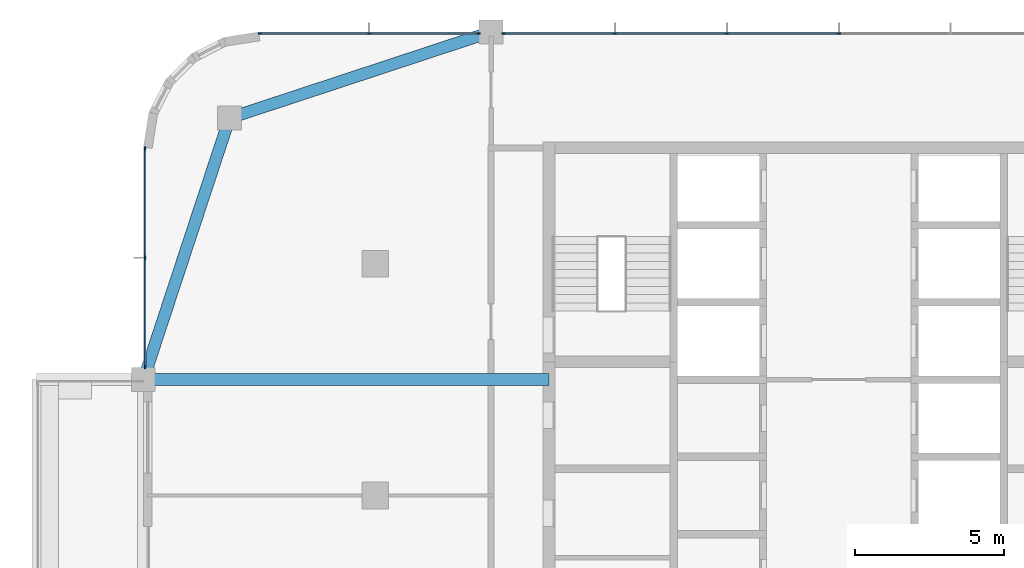
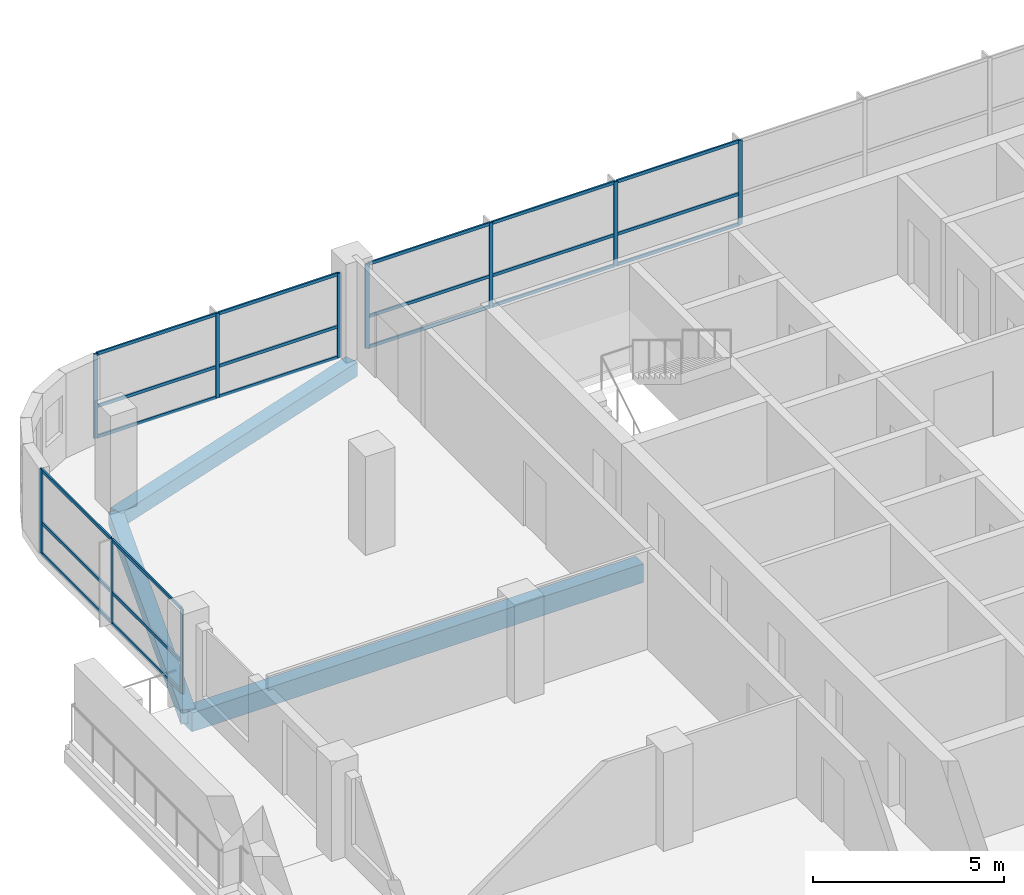
# One storey, part 7 of 22: 31 members, 3 beams, 3 elements without a shape of their own.
"""IFC4 building model written with IfcOpenShell, lengths in metres."""

from ifc_helpers import new_model, si_unit, direction, frame, origin, origin_2d, place, context, subcontext, project, spatial, rectangle, extrude, material, material_profile, profile_set, type_object, element, aggregate, save


model = new_model("IFC4")

# Units and contexts
model_context = context("Model", 3, precision=1e-05, world=origin(), true_north=direction((0.0, 1.0)))
body_context = subcontext(model_context, "Body", "Model", "MODEL_VIEW")
ifc_project = project(units=[si_unit("LENGTHUNIT", "METRE"), si_unit("AREAUNIT", "SQUARE_METRE"), si_unit("VOLUMEUNIT", "CUBIC_METRE"), si_unit("PLANEANGLEUNIT", "RADIAN"), si_unit("MASSUNIT", "GRAM", prefix="KILO")], contexts=[model_context])

# Site, building, storey
site_placement = place(None, origin())
site = spatial("IfcSite", under=ifc_project, at=site_placement, CompositionType="ELEMENT")
building_placement = place(site_placement, origin())
building = spatial("IfcBuilding", under=site, at=building_placement, Name="Ludao Terraces", CompositionType="ELEMENT")
storey_placement = place(building_placement, frame((0.0, 0.0, 200.699951171875)))
storey = spatial("IfcBuildingStorey", under=building, at=storey_placement, Name="L54", CompositionType="ELEMENT", Elevation=200.699951171875)

# Curtain wall, members
ifc_material_1 = material(Name="Aluminium curtain wall with fritted glass", Category="aluminium")
curtain_wall_type = type_object("IfcCurtainWallType", Name="ENV CW3 community glazing", PredefinedType="NOTDEFINED", material=ifc_material_1)
curtain_wall_1_placement = place(storey_placement, origin())
curtain_wall_1 = element("IfcCurtainWall", 1, at=curtain_wall_1_placement, inside=storey, type_object=curtain_wall_type, Name="Community floor glazing L54 N1", PredefinedType="NOTDEFINED")
ifc_material_2 = material(Name="Aluminium 6063-T6", Category="aluminium")
ifc_material_profile_1 = material_profile(ifc_material_2, rectangle(XDim=0.050048828125, YDim=0.1201171875, at=origin_2d()), Name="50 X 120")
ifc_profile_set_1 = profile_set([ifc_material_profile_1], Name="Aluminium 6063-T6")
member_type_1 = type_object("IfcMemberType", Name="ENV CW3 mullion 50x120", PredefinedType="MULLION", material=ifc_profile_set_1)
member_1_placement = place(storey_placement, frame((65.52490234375, 88.340087890625, 0.0), z_axis=(0.0, 0.0, 1.0), x_axis=(0.0, 1.0, 0.0)))
member_1 = element("IfcMember", 2, at=member_1_placement, type_object=member_type_1, Name="CW3 mullion 1", PredefinedType="MULLION", context=body_context, shape_type="SweptSolid", body=[
    extrude(rectangle(XDim=0.050048828125, YDim=0.1201171875, at=origin_2d()), origin(), (0.0, 0.0, 1.0), 2.699951171875),
])
member_2_placement = place(storey_placement, frame((69.199951171875, 88.340087890625, 0.0), z_axis=(0.0, 0.0, 1.0), x_axis=(0.0, 1.0, 0.0)))
member_2 = element("IfcMember", 3, at=member_2_placement, type_object=member_type_1, Name="CW3 mullion 2", PredefinedType="MULLION", context=body_context, shape_type="SweptSolid", body=[
    extrude(rectangle(XDim=0.050048828125, YDim=0.1201171875, at=origin_2d()), origin(), (0.0, 0.0, 1.0), 2.699951171875),
])
member_3_placement = place(storey_placement, frame((72.875, 88.340087890625, 0.0), z_axis=(0.0, 0.0, 1.0), x_axis=(0.0, 1.0, 0.0)))
member_3 = element("IfcMember", 4, at=member_3_placement, type_object=member_type_1, Name="CW3 mullion 3", PredefinedType="MULLION", context=body_context, shape_type="SweptSolid", body=[
    extrude(rectangle(XDim=0.050048828125, YDim=0.1201171875, at=origin_2d()), origin(), (0.0, 0.0, 1.0), 2.699951171875),
])

curtain_wall_2_placement = place(storey_placement, origin())
curtain_wall_2 = element("IfcCurtainWall", 5, at=curtain_wall_2_placement, inside=storey, type_object=curtain_wall_type, Name="Community floor glazing L54 N2", PredefinedType="NOTDEFINED")
member_4_placement = place(storey_placement, frame((73.72509765625, 88.340087890625, 0.0), z_axis=(0.0, 0.0, 1.0), x_axis=(0.0, 1.0, 0.0)))
member_4 = element("IfcMember", 6, at=member_4_placement, type_object=member_type_1, Name="CW3 mullion 1", PredefinedType="MULLION", context=body_context, shape_type="SweptSolid", body=[
    extrude(rectangle(XDim=0.050048828125, YDim=0.1201171875, at=origin_2d()), origin(), (0.0, 0.0, 1.0), 2.699951171875),
])
member_5_placement = place(storey_placement, frame((77.466552734375, 88.340087890625, 0.0), z_axis=(0.0, 0.0, 1.0), x_axis=(0.0, 1.0, 0.0)))
member_5 = element("IfcMember", 7, at=member_5_placement, type_object=member_type_1, Name="CW3 mullion 2", PredefinedType="MULLION", context=body_context, shape_type="SweptSolid", body=[
    extrude(rectangle(XDim=0.050048828125, YDim=0.1201171875, at=origin_2d()), origin(), (0.0, 0.0, 1.0), 2.699951171875),
])
member_6_placement = place(storey_placement, frame((81.2333984375, 88.340087890625, 0.0), z_axis=(0.0, 0.0, 1.0), x_axis=(0.0, 1.0, 0.0)))
member_6 = element("IfcMember", 8, at=member_6_placement, type_object=member_type_1, Name="CW3 mullion 3", PredefinedType="MULLION", context=body_context, shape_type="SweptSolid", body=[
    extrude(rectangle(XDim=0.050048828125, YDim=0.1201171875, at=origin_2d()), origin(), (0.0, 0.0, 1.0), 2.699951171875),
])
member_7_placement = place(storey_placement, frame((85.0, 88.340087890625, 0.0), z_axis=(0.0, 0.0, 1.0), x_axis=(0.0, 1.0, 0.0)))
member_7 = element("IfcMember", 9, at=member_7_placement, type_object=member_type_1, Name="CW3 mullion 4", PredefinedType="MULLION", context=body_context, shape_type="SweptSolid", body=[
    extrude(rectangle(XDim=0.050048828125, YDim=0.1201171875, at=origin_2d()), origin(), (0.0, 0.0, 1.0), 2.699951171875),
])

curtain_wall_3_placement = place(storey_placement, origin())
curtain_wall_3 = element("IfcCurtainWall", 10, at=curtain_wall_3_placement, inside=storey, type_object=curtain_wall_type, Name="Community floor glazing L54 W5", PredefinedType="NOTDEFINED")
member_8_placement = place(storey_placement, frame((61.659912109375, 77.125, 0.0), z_axis=(0.0, 0.0, 1.0), x_axis=(-1.0, 0.0, 0.0)))
member_8 = element("IfcMember", 11, at=member_8_placement, type_object=member_type_1, Name="CW3 mullion 1", PredefinedType="MULLION", context=body_context, shape_type="SweptSolid", body=[
    extrude(rectangle(XDim=0.050048828125, YDim=0.1201171875, at=origin_2d()), origin(), (0.0, 0.0, 1.0), 2.699951171875),
])
member_9_placement = place(storey_placement, frame((61.659912109375, 80.800048828125, 0.0), z_axis=(0.0, 0.0, 1.0), x_axis=(-1.0, 0.0, 0.0)))
member_9 = element("IfcMember", 12, at=member_9_placement, type_object=member_type_1, Name="CW3 mullion 2", PredefinedType="MULLION", context=body_context, shape_type="SweptSolid", body=[
    extrude(rectangle(XDim=0.050048828125, YDim=0.1201171875, at=origin_2d()), origin(), (0.0, 0.0, 1.0), 2.699951171875),
])
member_10_placement = place(storey_placement, frame((61.659912109375, 84.47509765625, 0.0), z_axis=(0.0, 0.0, 1.0), x_axis=(-1.0, 0.0, 0.0)))
member_10 = element("IfcMember", 13, at=member_10_placement, type_object=member_type_1, Name="CW3 mullion 3", PredefinedType="MULLION", context=body_context, shape_type="SweptSolid", body=[
    extrude(rectangle(XDim=0.050048828125, YDim=0.1201171875, at=origin_2d()), origin(), (0.0, 0.0, 1.0), 2.699951171875),
])

# Member
ifc_material_profile_2 = material_profile(ifc_material_2, rectangle(XDim=0.050048828125, YDim=0.10009765625, at=origin_2d()), Name="50 X 100")
ifc_profile_set_2 = profile_set([ifc_material_profile_2], Name="Aluminium 6063-T6")
member_type_2 = type_object("IfcMemberType", Name="ENV CW3 transom 50x100", PredefinedType="USERDEFINED", material=ifc_profile_set_2)
member_11_placement = place(storey_placement, frame((65.550048828125, 88.340087890625, 0.025146484375), z_axis=(1.0, 0.0, 0.0), x_axis=(0.0, 1.0, 0.0)))
member_11 = element("IfcMember", 14, at=member_11_placement, type_object=member_type_2, Name="CW3 transom 1.1", ObjectType="TRANSOM", PredefinedType="USERDEFINED", context=body_context, shape_type="SweptSolid", body=[
    extrude(rectangle(XDim=0.050048828125, YDim=0.10009765625, at=origin_2d()), origin(), (0.0, 0.0, 1.0), 3.625),
])

member_12_placement = place(storey_placement, frame((65.550048828125, 88.340087890625, 1.0), z_axis=(1.0, 0.0, 0.0), x_axis=(0.0, 1.0, 0.0)))
member_12 = element("IfcMember", 15, at=member_12_placement, type_object=member_type_2, Name="CW3 transom 1.2", ObjectType="TRANSOM", PredefinedType="USERDEFINED", context=body_context, shape_type="SweptSolid", body=[
    extrude(rectangle(XDim=0.050048828125, YDim=0.10009765625, at=origin_2d()), origin(), (0.0, 0.0, 1.0), 3.625),
])

member_13_placement = place(storey_placement, frame((65.550048828125, 88.340087890625, 2.675048828125), z_axis=(1.0, 0.0, 0.0), x_axis=(0.0, 1.0, 0.0)))
member_13 = element("IfcMember", 16, at=member_13_placement, type_object=member_type_2, Name="CW3 transom 1.3", ObjectType="TRANSOM", PredefinedType="USERDEFINED", context=body_context, shape_type="SweptSolid", body=[
    extrude(rectangle(XDim=0.050048828125, YDim=0.10009765625, at=origin_2d()), origin(), (0.0, 0.0, 1.0), 3.625),
])

member_14_placement = place(storey_placement, frame((69.22509765625, 88.340087890625, 0.025146484375), z_axis=(1.0, 0.0, 0.0), x_axis=(0.0, 1.0, 0.0)))
member_14 = element("IfcMember", 17, at=member_14_placement, type_object=member_type_2, Name="CW3 transom 2.1", ObjectType="TRANSOM", PredefinedType="USERDEFINED", context=body_context, shape_type="SweptSolid", body=[
    extrude(rectangle(XDim=0.050048828125, YDim=0.10009765625, at=origin_2d()), origin(), (0.0, 0.0, 1.0), 3.625),
])

member_15_placement = place(storey_placement, frame((69.22509765625, 88.340087890625, 1.0), z_axis=(1.0, 0.0, 0.0), x_axis=(0.0, 1.0, 0.0)))
member_15 = element("IfcMember", 18, at=member_15_placement, type_object=member_type_2, Name="CW3 transom 2.2", ObjectType="TRANSOM", PredefinedType="USERDEFINED", context=body_context, shape_type="SweptSolid", body=[
    extrude(rectangle(XDim=0.050048828125, YDim=0.10009765625, at=origin_2d()), origin(), (0.0, 0.0, 1.0), 3.625),
])

member_16_placement = place(storey_placement, frame((69.22509765625, 88.340087890625, 2.675048828125), z_axis=(1.0, 0.0, 0.0), x_axis=(0.0, 1.0, 0.0)))
member_16 = element("IfcMember", 19, at=member_16_placement, type_object=member_type_2, Name="CW3 transom 2.3", ObjectType="TRANSOM", PredefinedType="USERDEFINED", context=body_context, shape_type="SweptSolid", body=[
    extrude(rectangle(XDim=0.050048828125, YDim=0.10009765625, at=origin_2d()), origin(), (0.0, 0.0, 1.0), 3.625),
])

aggregate(curtain_wall_1, [member_1, member_2, member_3, member_11, member_12, member_13, member_14, member_15, member_16])

member_17_placement = place(storey_placement, frame((73.75, 88.340087890625, 0.025146484375), z_axis=(1.0, 0.0, 0.0), x_axis=(0.0, 1.0, 0.0)))
member_17 = element("IfcMember", 20, at=member_17_placement, type_object=member_type_2, Name="CW3 transom 1.1", ObjectType="TRANSOM", PredefinedType="USERDEFINED", context=body_context, shape_type="SweptSolid", body=[
    extrude(rectangle(XDim=0.050048828125, YDim=0.10009765625, at=origin_2d()), origin(), (0.0, 0.0, 1.0), 3.691650390625),
])

member_18_placement = place(storey_placement, frame((73.75, 88.340087890625, 1.0), z_axis=(1.0, 0.0, 0.0), x_axis=(0.0, 1.0, 0.0)))
member_18 = element("IfcMember", 21, at=member_18_placement, type_object=member_type_2, Name="CW3 transom 1.2", ObjectType="TRANSOM", PredefinedType="USERDEFINED", context=body_context, shape_type="SweptSolid", body=[
    extrude(rectangle(XDim=0.050048828125, YDim=0.10009765625, at=origin_2d()), origin(), (0.0, 0.0, 1.0), 3.691650390625),
])

member_19_placement = place(storey_placement, frame((73.75, 88.340087890625, 2.675048828125), z_axis=(1.0, 0.0, 0.0), x_axis=(0.0, 1.0, 0.0)))
member_19 = element("IfcMember", 22, at=member_19_placement, type_object=member_type_2, Name="CW3 transom 1.3", ObjectType="TRANSOM", PredefinedType="USERDEFINED", context=body_context, shape_type="SweptSolid", body=[
    extrude(rectangle(XDim=0.050048828125, YDim=0.10009765625, at=origin_2d()), origin(), (0.0, 0.0, 1.0), 3.691650390625),
])

member_20_placement = place(storey_placement, frame((77.49169921875, 88.340087890625, 0.025146484375), z_axis=(1.0, 0.0, 0.0), x_axis=(0.0, 1.0, 0.0)))
member_20 = element("IfcMember", 23, at=member_20_placement, type_object=member_type_2, Name="CW3 transom 2.1", ObjectType="TRANSOM", PredefinedType="USERDEFINED", context=body_context, shape_type="SweptSolid", body=[
    extrude(rectangle(XDim=0.050048828125, YDim=0.10009765625, at=origin_2d()), origin(), (0.0, 0.0, 1.0), 3.716552734375),
])

member_21_placement = place(storey_placement, frame((77.49169921875, 88.340087890625, 1.0), z_axis=(1.0, 0.0, 0.0), x_axis=(0.0, 1.0, 0.0)))
member_21 = element("IfcMember", 24, at=member_21_placement, type_object=member_type_2, Name="CW3 transom 2.2", ObjectType="TRANSOM", PredefinedType="USERDEFINED", context=body_context, shape_type="SweptSolid", body=[
    extrude(rectangle(XDim=0.050048828125, YDim=0.10009765625, at=origin_2d()), origin(), (0.0, 0.0, 1.0), 3.716552734375),
])

member_22_placement = place(storey_placement, frame((77.49169921875, 88.340087890625, 2.675048828125), z_axis=(1.0, 0.0, 0.0), x_axis=(0.0, 1.0, 0.0)))
member_22 = element("IfcMember", 25, at=member_22_placement, type_object=member_type_2, Name="CW3 transom 2.3", ObjectType="TRANSOM", PredefinedType="USERDEFINED", context=body_context, shape_type="SweptSolid", body=[
    extrude(rectangle(XDim=0.050048828125, YDim=0.10009765625, at=origin_2d()), origin(), (0.0, 0.0, 1.0), 3.716552734375),
])

member_23_placement = place(storey_placement, frame((81.25830078125, 88.340087890625, 0.025146484375), z_axis=(1.0, 0.0, 0.0), x_axis=(0.0, 1.0, 0.0)))
member_23 = element("IfcMember", 26, at=member_23_placement, type_object=member_type_2, Name="CW3 transom 3.1", ObjectType="TRANSOM", PredefinedType="USERDEFINED", context=body_context, shape_type="SweptSolid", body=[
    extrude(rectangle(XDim=0.050048828125, YDim=0.10009765625, at=origin_2d()), origin(), (0.0, 0.0, 1.0), 3.716796875),
])

member_24_placement = place(storey_placement, frame((81.25830078125, 88.340087890625, 1.0), z_axis=(1.0, 0.0, 0.0), x_axis=(0.0, 1.0, 0.0)))
member_24 = element("IfcMember", 27, at=member_24_placement, type_object=member_type_2, Name="CW3 transom 3.2", ObjectType="TRANSOM", PredefinedType="USERDEFINED", context=body_context, shape_type="SweptSolid", body=[
    extrude(rectangle(XDim=0.050048828125, YDim=0.10009765625, at=origin_2d()), origin(), (0.0, 0.0, 1.0), 3.716796875),
])

member_25_placement = place(storey_placement, frame((81.25830078125, 88.340087890625, 2.675048828125), z_axis=(1.0, 0.0, 0.0), x_axis=(0.0, 1.0, 0.0)))
member_25 = element("IfcMember", 28, at=member_25_placement, type_object=member_type_2, Name="CW3 transom 3.3", ObjectType="TRANSOM", PredefinedType="USERDEFINED", context=body_context, shape_type="SweptSolid", body=[
    extrude(rectangle(XDim=0.050048828125, YDim=0.10009765625, at=origin_2d()), origin(), (0.0, 0.0, 1.0), 3.716796875),
])

aggregate(curtain_wall_2, [member_4, member_5, member_6, member_7, member_17, member_18, member_19, member_20, member_21, member_22, member_23, member_24, member_25])

member_26_placement = place(storey_placement, frame((61.659912109375, 77.14990234375, 0.025146484375), z_axis=(0.0, 1.0, 0.0), x_axis=(-1.0, 0.0, 0.0)))
member_26 = element("IfcMember", 29, at=member_26_placement, type_object=member_type_2, Name="CW3 transom 1.1", ObjectType="TRANSOM", PredefinedType="USERDEFINED", context=body_context, shape_type="SweptSolid", body=[
    extrude(rectangle(XDim=0.050048828125, YDim=0.10009765625, at=origin_2d()), origin(), (0.0, 0.0, 1.0), 3.625),
])

member_27_placement = place(storey_placement, frame((61.659912109375, 77.14990234375, 1.0), z_axis=(0.0, 1.0, 0.0), x_axis=(-1.0, 0.0, 0.0)))
member_27 = element("IfcMember", 30, at=member_27_placement, type_object=member_type_2, Name="CW3 transom 1.2", ObjectType="TRANSOM", PredefinedType="USERDEFINED", context=body_context, shape_type="SweptSolid", body=[
    extrude(rectangle(XDim=0.050048828125, YDim=0.10009765625, at=origin_2d()), origin(), (0.0, 0.0, 1.0), 3.625),
])

member_28_placement = place(storey_placement, frame((61.659912109375, 77.14990234375, 2.675048828125), z_axis=(0.0, 1.0, 0.0), x_axis=(-1.0, 0.0, 0.0)))
member_28 = element("IfcMember", 31, at=member_28_placement, type_object=member_type_2, Name="CW3 transom 1.3", ObjectType="TRANSOM", PredefinedType="USERDEFINED", context=body_context, shape_type="SweptSolid", body=[
    extrude(rectangle(XDim=0.050048828125, YDim=0.10009765625, at=origin_2d()), origin(), (0.0, 0.0, 1.0), 3.625),
])

member_29_placement = place(storey_placement, frame((61.659912109375, 80.824951171875, 0.025146484375), z_axis=(0.0, 1.0, 0.0), x_axis=(-1.0, 0.0, 0.0)))
member_29 = element("IfcMember", 32, at=member_29_placement, type_object=member_type_2, Name="CW3 transom 2.1", ObjectType="TRANSOM", PredefinedType="USERDEFINED", context=body_context, shape_type="SweptSolid", body=[
    extrude(rectangle(XDim=0.050048828125, YDim=0.10009765625, at=origin_2d()), origin(), (0.0, 0.0, 1.0), 3.625),
])

member_30_placement = place(storey_placement, frame((61.659912109375, 80.824951171875, 1.0), z_axis=(0.0, 1.0, 0.0), x_axis=(-1.0, 0.0, 0.0)))
member_30 = element("IfcMember", 33, at=member_30_placement, type_object=member_type_2, Name="CW3 transom 2.2", ObjectType="TRANSOM", PredefinedType="USERDEFINED", context=body_context, shape_type="SweptSolid", body=[
    extrude(rectangle(XDim=0.050048828125, YDim=0.10009765625, at=origin_2d()), origin(), (0.0, 0.0, 1.0), 3.625),
])

member_31_placement = place(storey_placement, frame((61.659912109375, 80.824951171875, 2.675048828125), z_axis=(0.0, 1.0, 0.0), x_axis=(-1.0, 0.0, 0.0)))
member_31 = element("IfcMember", 34, at=member_31_placement, type_object=member_type_2, Name="CW3 transom 2.3", ObjectType="TRANSOM", PredefinedType="USERDEFINED", context=body_context, shape_type="SweptSolid", body=[
    extrude(rectangle(XDim=0.050048828125, YDim=0.10009765625, at=origin_2d()), origin(), (0.0, 0.0, 1.0), 3.625),
])

aggregate(curtain_wall_3, [member_8, member_9, member_10, member_26, member_27, member_28, member_29, member_30, member_31])

# Beams
ifc_material_3 = material(Name="Concrete C40", Category="concrete")
ifc_material_profile_3 = material_profile(ifc_material_3, rectangle(XDim=0.39990234375, YDim=0.449951171875, at=origin_2d()), Name="400 X 450")
ifc_profile_set_3 = profile_set([ifc_material_profile_3], Name="Concrete C40")
beam_type_1 = type_object("IfcBeamType", Name="RC beam 400x450 C40", PredefinedType="BEAM", material=ifc_profile_set_3)
for number, where, z_axis, x_axis, name in (
    (35, (64.5, 85.5, -0.474853515625), (0.949760691408, 0.312977042379, 0.0), (-0.312977042379, 0.949760691408, 0.0), "Spandrel beam L54 N6"),
    (36, (61.60009765625, 76.699951171875, -0.474853515625), (0.312977042379, 0.949760691408, 0.0), (-0.949760691408, 0.312977042379, 0.0), "Spandrel beam L54 W12"),
):
    element("IfcBeam", number, at=place(storey_placement, frame(where, z_axis=z_axis, x_axis=x_axis)), inside=storey, type_object=beam_type_1, Name=name, PredefinedType="BEAM", context=body_context, shape_type="SweptSolid", body=[
        extrude(rectangle(XDim=0.39990234375, YDim=0.449951171875, at=origin_2d()), origin(), (0.0, 0.0, 1.0), 9.265625),
    ])
ifc_material_profile_4 = material_profile(ifc_material_3, rectangle(XDim=0.39990234375, YDim=0.60009765625, at=origin_2d()), Name="400 X 600")
ifc_profile_set_4 = profile_set([ifc_material_profile_4], Name="Concrete C40")
beam_type_2 = type_object("IfcBeamType", Name="RC beam 400x600 C40", PredefinedType="BEAM", material=ifc_profile_set_4)
beam_placement = place(storey_placement, frame((75.25, 76.699951171875, -0.550048828125), z_axis=(-1.0, 0.0, 0.0), x_axis=(0.0, -1.0, 0.0)))
element("IfcBeam", 37, at=beam_placement, inside=storey, type_object=beam_type_2, Name="Balcony beam L54 W767", PredefinedType="BEAM", context=body_context, shape_type="SweptSolid", body=[
    extrude(rectangle(XDim=0.39990234375, YDim=0.60009765625, at=origin_2d()), origin(), (0.0, 0.0, 1.0), 13.64990234375),
])

save(model, "model.ifc")
